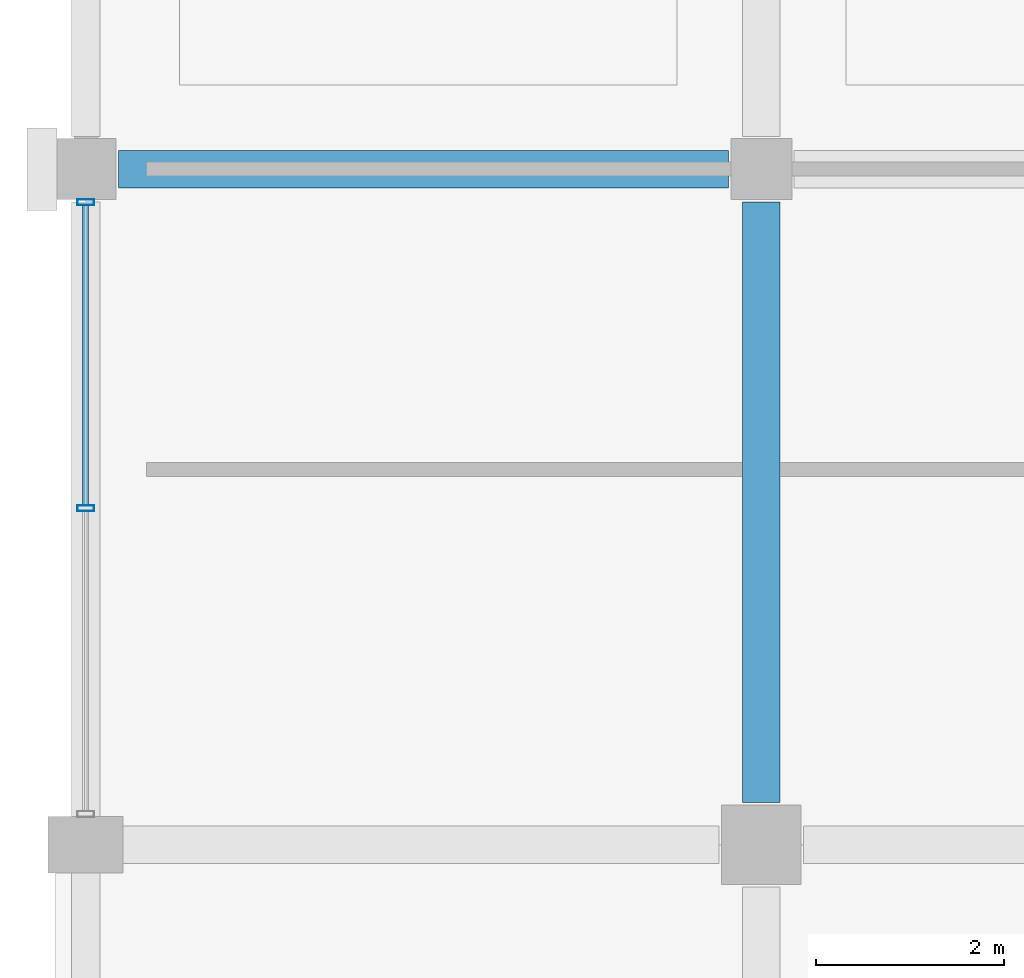
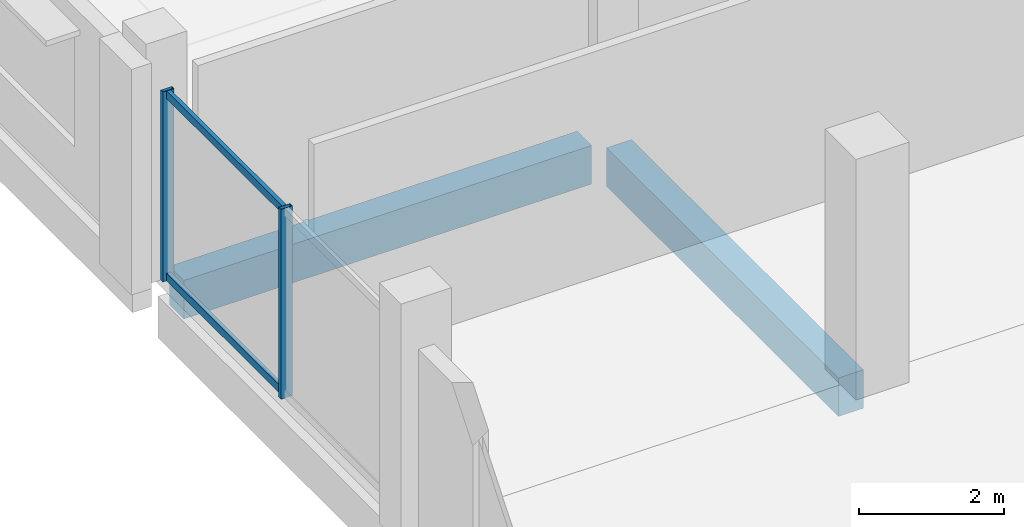
# One storey, part 32 of 107: 4 members, 2 beams, 1 element without a shape of its own.
"""IFC4 building model written with IfcOpenShell, lengths in metres."""

from ifc_helpers import new_model, si_unit, direction, frame, origin, origin_2d, place, context, subcontext, project, spatial, rectangle, hollow_rectangle, extrude, material, layer, layer_set, material_profile, profile_set, type_object, element, aggregate, save


model = new_model("IFC4")

# Units and contexts
model_context = context("Model", 3, precision=1e-05, world=origin(), true_north=direction((0.0, 1.0)))
body_context = subcontext(model_context, "Body", "Model", "MODEL_VIEW")
ifc_project = project(units=[si_unit("LENGTHUNIT", "METRE"), si_unit("AREAUNIT", "SQUARE_METRE"), si_unit("VOLUMEUNIT", "CUBIC_METRE"), si_unit("PLANEANGLEUNIT", "RADIAN"), si_unit("MASSUNIT", "GRAM", prefix="KILO")], contexts=[model_context])

# Site, building, storey
site_placement = place(None, origin())
site = spatial("IfcSite", under=ifc_project, at=site_placement, CompositionType="ELEMENT")
building_placement = place(site_placement, origin())
building = spatial("IfcBuilding", under=site, at=building_placement, Name="Kangsadwip Square Police Headquarters", CompositionType="ELEMENT")
storey_placement = place(building_placement, frame((0.0, 0.0, 5.39990234375)))
storey = spatial("IfcBuildingStorey", under=building, at=storey_placement, Name="L01", CompositionType="ELEMENT", Elevation=5.39990234375)

# Curtain wall, members
ifc_material_1 = material(Name="Thermally broken anodised aluminium AW-6063-T6", Category="aluminium")
ifc_layer = layer(ifc_material_1, 0.159912109375)
ifc_layer_set = layer_set([ifc_layer], Name="Thermally broken anodised aluminium AW-6063-T6")
curtain_wall_type = type_object("IfcCurtainWallType", Name="UnitisedCw6585x3200", PredefinedType="NOTDEFINED", material=ifc_layer_set)
curtain_wall_placement = place(storey_placement, origin())
curtain_wall = element("IfcCurtainWall", 1, at=curtain_wall_placement, inside=storey, type_object=curtain_wall_type, Name="Curtain Wall CW-L01-0000-0939", PredefinedType="NOTDEFINED")
ifc_material_2 = material(Name="Thermally broken anodised aluminium AW-6063-T6", Category="aluminium")
ifc_material_profile_1 = material_profile(ifc_material_2, hollow_rectangle(XDim=0.06494140625, YDim=0.179931640625, WallThickness=0.00390625, at=origin_2d()), Name="CWM 180X65X4")
ifc_profile_set_1 = profile_set([ifc_material_profile_1], Name="Thermally broken anodised aluminium AW-6063-T6")
member_type_1 = type_object("IfcMemberType", Name="CwMullion160x65", PredefinedType="MULLION", material=ifc_profile_set_1)
member_1_placement = place(storey_placement, frame((0.0, 97.1875, 0.0), z_axis=(0.0, 0.0, 1.0), x_axis=(0.0, 1.0, 0.0)))
member_1 = element("IfcMember", 2, at=member_1_placement, type_object=member_type_1, Name="CW-21 mullion 2", PredefinedType="MULLION", context=body_context, shape_type="SweptSolid", body=[
    extrude(hollow_rectangle(XDim=0.06494140625, YDim=0.179931640625, WallThickness=0.00390625, at=origin_2d()), origin(), (0.0, 0.0, 1.0), 3.2001953125),
])
member_2_placement = place(storey_placement, frame((0.0, 100.447509765625, 0.0), z_axis=(0.0, 0.0, 1.0), x_axis=(0.0, 1.0, 0.0)))
member_2 = element("IfcMember", 3, at=member_2_placement, type_object=member_type_1, Name="CW-21 mullion 3", PredefinedType="MULLION", context=body_context, shape_type="SweptSolid", body=[
    extrude(hollow_rectangle(XDim=0.06494140625, YDim=0.179931640625, WallThickness=0.00390625, at=origin_2d()), origin(), (0.0, 0.0, 1.0), 3.2001953125),
])
ifc_material_3 = material(Name="Thermally broken anodised aluminium AW-6063-T6", Category="aluminium")
ifc_material_profile_2 = material_profile(ifc_material_3, hollow_rectangle(XDim=0.06494140625, YDim=0.1298828125, WallThickness=0.00390625, at=origin_2d()), Name="CWT 130X65X4")
ifc_profile_set_2 = profile_set([ifc_material_profile_2], Name="Thermally broken anodised aluminium AW-6063-T6")
member_type_2 = type_object("IfcMemberType", Name="CwTransom140x60", PredefinedType="USERDEFINED", material=ifc_profile_set_2)
member_3_placement = place(storey_placement, frame((0.0, 97.219970703125, 0.065185546875), z_axis=(0.0, 1.0, 0.0), x_axis=(-1.0, 0.0, 0.0)))
member_3 = element("IfcMember", 4, at=member_3_placement, type_object=member_type_2, Name="CW-21 transom 2.1", ObjectType="TRANSOM", PredefinedType="USERDEFINED", context=body_context, shape_type="SweptSolid", body=[
    extrude(hollow_rectangle(XDim=0.06494140625, YDim=0.1298828125, WallThickness=0.00390625, at=origin_2d()), origin(), (0.0, 0.0, 1.0), 3.195068359375),
])
member_4_placement = place(storey_placement, frame((0.0, 97.219970703125, 3.135009765625), z_axis=(0.0, 1.0, 0.0), x_axis=(-1.0, 0.0, 0.0)))
member_4 = element("IfcMember", 5, at=member_4_placement, type_object=member_type_2, Name="CW-21 transom 2.2", ObjectType="TRANSOM", PredefinedType="USERDEFINED", context=body_context, shape_type="SweptSolid", body=[
    extrude(hollow_rectangle(XDim=0.06494140625, YDim=0.1298828125, WallThickness=0.00390625, at=origin_2d()), origin(), (0.0, 0.0, 1.0), 3.195068359375),
])
aggregate(curtain_wall, [member_1, member_2, member_3, member_4])

# Beams
ifc_material_4 = material(Name="Concrete M35 (35 MPa)", Category="concrete")
ifc_material_profile_3 = material_profile(ifc_material_4, rectangle(XDim=0.39990234375, YDim=0.64990234375, at=origin_2d()), Name="RC BM 650X400")
ifc_profile_set_3 = profile_set([ifc_material_profile_3], Name="Concrete M35 (35 MPa)")
beam_type = type_object("IfcBeamType", Name="RcBeam650x400", PredefinedType="BEAM", material=ifc_profile_set_3)
beam_1_placement = place(storey_placement, frame((0.35009765625, 100.800048828125, -0.56494140625), z_axis=(1.0, 0.0, 0.0), x_axis=(0.0, 1.0, 0.0)))
element("IfcBeam", 6, at=beam_1_placement, inside=storey, type_object=beam_type, Name="Beam BM-L01-X-00-14", PredefinedType="BEAM", context=body_context, shape_type="SweptSolid", body=[
    extrude(rectangle(XDim=0.39990234375, YDim=0.64990234375, at=origin_2d()), origin(), (0.0, 0.0, 1.0), 6.5),
])
beam_2_placement = place(storey_placement, frame((7.199951171875, 94.050048828125, -0.56494140625), z_axis=(0.0, 1.0, 0.0), x_axis=(-1.0, 0.0, 0.0)))
element("IfcBeam", 7, at=beam_2_placement, inside=storey, type_object=beam_type, Name="Beam BM-L01-Y-01-13", PredefinedType="BEAM", context=body_context, shape_type="SweptSolid", body=[
    extrude(rectangle(XDim=0.39990234375, YDim=0.64990234375, at=origin_2d()), origin(), (0.0, 0.0, 1.0), 6.39990234375),
])

save(model, "model.ifc")
